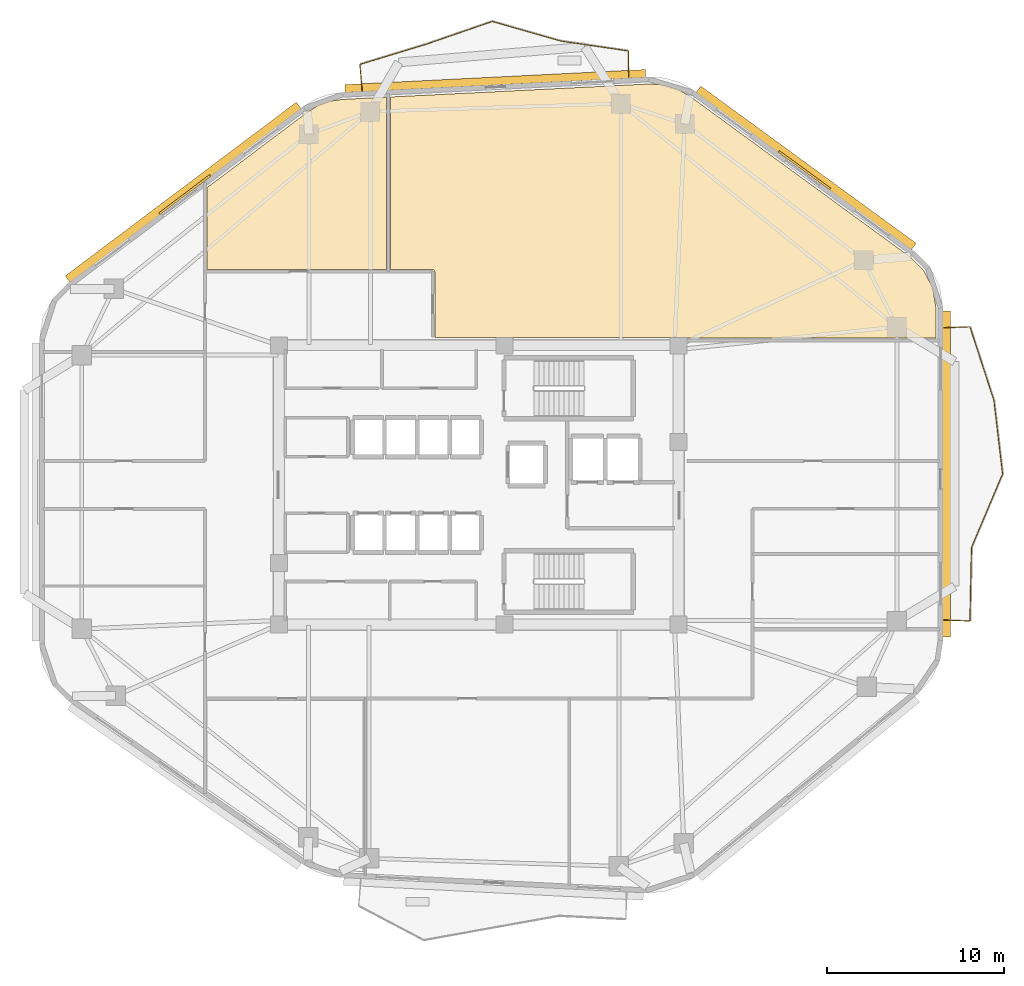
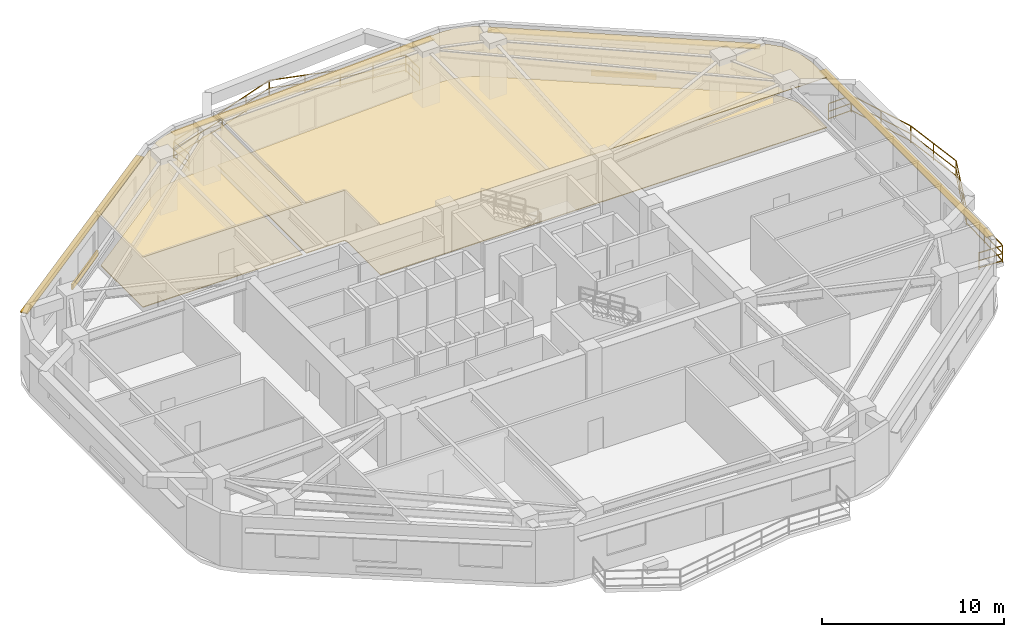
# One storey, part 8 of 8: 12 railings, 6 shading devices, 4 coverings.
"""IFC4 building model written with IfcOpenShell, lengths in metres."""

from ifc_helpers import new_model, si_unit, direction, frame, origin, origin_2d, place, context, subcontext, project, spatial, polyline, rectangle, outline, extrude, material, layer, layer_set, type_object, element, save


model = new_model("IFC4")

# Units and contexts
model_context = context("Model", 3, precision=1e-05, world=origin(), true_north=direction((0.0, 1.0)))
body_context = subcontext(model_context, "Body", "Model", "MODEL_VIEW")
ifc_project = project(units=[si_unit("LENGTHUNIT", "METRE"), si_unit("AREAUNIT", "SQUARE_METRE"), si_unit("VOLUMEUNIT", "CUBIC_METRE"), si_unit("PLANEANGLEUNIT", "RADIAN"), si_unit("MASSUNIT", "GRAM", prefix="KILO")], contexts=[model_context])

# Site, building, storey
site_placement = place(None, origin())
site = spatial("IfcSite", under=ifc_project, at=site_placement, CompositionType="ELEMENT")
building_placement = place(site_placement, origin())
building = spatial("IfcBuilding", under=site, at=building_placement, Name="Zulverin Broadcast Headquarters", CompositionType="ELEMENT")
storey_placement = place(building_placement, frame((0.0, 0.0, 136.39990234375)))
storey = spatial("IfcBuildingStorey", under=building, at=storey_placement, Name="L34", CompositionType="ELEMENT", Elevation=136.39990234375)

# Coverings
ifc_material_1 = material(Name="Perforated pale-metal acoustic baffle ceiling", Category="aluminium")
ifc_layer_1 = layer(ifc_material_1, 0.0400390625, Name="Perforated pale-metal acoustic baffle ceiling", Category="aluminium")
ifc_layer_set_1 = layer_set([ifc_layer_1], Name="Perforated pale-metal acoustic baffle ceiling")
covering_type_1 = type_object("IfcCoveringType", Name="COV-CEIL-ACOU", PredefinedType="CEILING", material=ifc_layer_set_1)
covering_1_placement = place(storey_placement, frame((0.0, 0.0, 3.360107421875)))
element("IfcCovering", 1, at=covering_1_placement, inside=storey, type_object=covering_type_1, Name="L34 Acoustic Baffle Ceiling 01", PredefinedType="CEILING", context=body_context, shape_type="SweptSolid", body=[
    extrude(outline(polyline([(31.780029296875, 37.3720703125), (31.780029296875, 47.083984375), (29.303955078125, 46.9599609375), (28.60009765625, 46.85595703125), (27.951904296875, 46.6201171875), (27.343994140625, 46.248046875), (21.66796875, 41.98388671875), (21.66796875, 37.3720703125), (31.780029296875, 37.3720703125)])), origin(), (0.0, 0.0, 1.0), 0.0400390625),
])
covering_2_placement = place(storey_placement, frame((0.0, 0.0, 3.360107421875)))
element("IfcCovering", 2, at=covering_2_placement, inside=storey, type_object=covering_type_1, Name="L34 Acoustic Baffle Ceiling 02", PredefinedType="CEILING", context=body_context, shape_type="SweptSolid", body=[
    extrude(outline(polyline([(47.43603515625, 47.77587890625), (46.6240234375, 47.83203125), (43.407958984375, 47.66796875), (32.02001953125, 47.095947265625), (32.02001953125, 37.3720703125), (34.360107421875, 37.3720703125), (34.3720703125, 37.3720703125), (34.384033203125, 37.367919921875), (34.39208984375, 37.367919921875), (34.39990234375, 37.364013671875), (34.407958984375, 37.364013671875), (34.419921875, 37.360107421875), (34.427978515625, 37.35595703125), (34.43603515625, 37.35205078125), (34.447998046875, 37.343994140625), (34.4599609375, 37.3359375), (34.468017578125, 37.327880859375), (34.47607421875, 37.320068359375), (34.48388671875, 37.31201171875), (34.491943359375, 37.300048828125), (34.5, 37.2880859375), (34.50390625, 37.280029296875), (34.508056640625, 37.27197265625), (34.511962890625, 37.263916015625), (34.51611328125, 37.251953125), (34.51611328125, 37.243896484375), (34.52001953125, 37.23193359375), (34.52001953125, 37.219970703125), (34.52001953125, 33.52001953125), (48.568115234375, 33.52001953125), (48.580078125, 33.52001953125), (48.592041015625, 33.51611328125), (48.60009765625, 33.51611328125), (48.612060546875, 33.511962890625), (48.6201171875, 33.508056640625), (48.635986328125, 33.5), (62.800048828125, 33.5), (62.800048828125, 35.199951171875), (62.6240234375, 36.30810546875), (62.1279296875, 37.280029296875), (61.3359375, 38.075927734375), (48.904052734375, 47.14794921875), (48.196044921875, 47.552001953125), (47.43603515625, 47.77587890625)])), origin(), (0.0, 0.0, 1.0), 0.0400390625),
])
ifc_material_2 = material(Name="Anti-static broadcast raised access flooring", Category="stone")
ifc_layer_2 = layer(ifc_material_2, 0.050048828125, Name="Anti-static broadcast raised access flooring", Category="stone")
ifc_layer_set_2 = layer_set([ifc_layer_2], Name="Anti-static broadcast raised access flooring")
covering_type_2 = type_object("IfcCoveringType", Name="COV-FLR-RAISED", PredefinedType="FLOORING", material=ifc_layer_set_2)
covering_3_placement = place(storey_placement, origin())
element("IfcCovering", 3, at=covering_3_placement, inside=storey, type_object=covering_type_2, Name="L34 Broadcast Raised Access Flooring 01", PredefinedType="FLOORING", context=body_context, shape_type="SweptSolid", body=[
    extrude(outline(polyline([(31.780029296875, 37.3720703125), (31.780029296875, 47.083984375), (29.303955078125, 46.9599609375), (28.60009765625, 46.85595703125), (27.951904296875, 46.6201171875), (27.343994140625, 46.248046875), (21.66796875, 41.98388671875), (21.66796875, 37.3720703125), (31.780029296875, 37.3720703125)])), origin(), (0.0, 0.0, 1.0), 0.050048828125),
])
covering_4_placement = place(storey_placement, origin())
element("IfcCovering", 4, at=covering_4_placement, inside=storey, type_object=covering_type_2, Name="L34 Broadcast Raised Access Flooring 02", PredefinedType="FLOORING", context=body_context, shape_type="SweptSolid", body=[
    extrude(outline(polyline([(47.43603515625, 47.77587890625), (46.6240234375, 47.83203125), (43.407958984375, 47.66796875), (32.02001953125, 47.095947265625), (32.02001953125, 37.3720703125), (34.360107421875, 37.3720703125), (34.3720703125, 37.3720703125), (34.384033203125, 37.367919921875), (34.39208984375, 37.367919921875), (34.39990234375, 37.364013671875), (34.407958984375, 37.364013671875), (34.419921875, 37.360107421875), (34.427978515625, 37.35595703125), (34.43603515625, 37.35205078125), (34.447998046875, 37.343994140625), (34.4599609375, 37.3359375), (34.468017578125, 37.327880859375), (34.47607421875, 37.320068359375), (34.48388671875, 37.31201171875), (34.491943359375, 37.300048828125), (34.5, 37.2880859375), (34.50390625, 37.280029296875), (34.508056640625, 37.27197265625), (34.511962890625, 37.263916015625), (34.51611328125, 37.251953125), (34.51611328125, 37.243896484375), (34.52001953125, 37.23193359375), (34.52001953125, 37.219970703125), (34.52001953125, 33.52001953125), (48.568115234375, 33.52001953125), (48.580078125, 33.52001953125), (48.592041015625, 33.51611328125), (48.60009765625, 33.51611328125), (48.612060546875, 33.511962890625), (48.6201171875, 33.508056640625), (48.635986328125, 33.5), (62.800048828125, 33.5), (62.800048828125, 35.199951171875), (62.6240234375, 36.30810546875), (62.1279296875, 37.280029296875), (61.3359375, 38.075927734375), (48.904052734375, 47.14794921875), (48.196044921875, 47.552001953125), (47.43603515625, 47.77587890625)])), origin(), (0.0, 0.0, 1.0), 0.050048828125),
])

# Railings
ifc_material_3 = material(Name="Brushed stainless steel & laminated glass balustrade", Category="steel")
railing_type = type_object("IfcRailingType", Name="RL-GUARD-1150", PredefinedType="GUARDRAIL", material=ifc_material_3)
railing_1_placement = place(storey_placement, frame((63.239990234375, 17.578369140625, 0.0)))
element("IfcRailing", 5, at=railing_1_placement, inside=storey, type_object=railing_type, Name="L34 Vertical-Forest Balcony Guardrail BAL_E Segment 01", PredefinedType="GUARDRAIL", context=body_context, shape_type="SweptSolid", body=[
    extrude(rectangle(XDim=0.048095703125, YDim=0.048095703125, at=origin_2d()), frame((0.0, 0.0, 1.1259765625), z_axis=(0.999174410196, -0.040626321628, 0.0), x_axis=(0.040626321628, 0.999174410196, 0.0)), (0.0, 0.0, 1.0), 1.46630859375),
    extrude(rectangle(XDim=0.0419921875, YDim=0.0419921875, at=origin_2d()), frame((0.0, 0.0, 0.597900390625), z_axis=(0.999174410196, -0.040626321628, 0.0), x_axis=(0.040626321628, 0.999174410196, 0.0)), (0.0, 0.0, 1.0), 1.46630859375),
    extrude(rectangle(XDim=0.0419921875, YDim=0.0419921875, at=origin_2d()), frame((0.0, 0.0, 0.1201171875), z_axis=(0.999174410196, -0.040626321628, 0.0), x_axis=(0.040626321628, 0.999174410196, 0.0)), (0.0, 0.0, 1.0), 1.46630859375),
    extrude(rectangle(XDim=0.0419921875, YDim=0.0419921875, at=origin_2d()), origin(), (0.0, 0.0, 1.0), 1.101806640625),
    extrude(rectangle(XDim=0.0419921875, YDim=0.0419921875, at=origin_2d()), frame((1.465087890625, -0.0595703125, 0.0)), (0.0, 0.0, 1.0), 1.101806640625),
])
railing_2_placement = place(storey_placement, frame((64.72021484375, 17.533203125, 0.0)))
element("IfcRailing", 6, at=railing_2_placement, inside=storey, type_object=railing_type, Name="L34 Vertical-Forest Balcony Guardrail BAL_E Segment 02", PredefinedType="GUARDRAIL", context=body_context, shape_type="SweptSolid", body=[
    extrude(rectangle(XDim=0.048095703125, YDim=0.048095703125, at=origin_2d()), frame((0.0, 0.0, 1.1259765625), z_axis=(0.021430415911, 0.999770342266, 0.0), x_axis=(-0.999770342266, 0.021430415911, 0.0)), (0.0, 0.0, 1.0), 4.1240234375),
    extrude(rectangle(XDim=0.0419921875, YDim=0.0419921875, at=origin_2d()), frame((0.0, 0.0, 0.597900390625), z_axis=(0.021430415911, 0.999770342266, 0.0), x_axis=(-0.999770342266, 0.021430415911, 0.0)), (0.0, 0.0, 1.0), 4.1240234375),
    extrude(rectangle(XDim=0.0419921875, YDim=0.0419921875, at=origin_2d()), frame((0.0, 0.0, 0.1201171875), z_axis=(0.021430415911, 0.999770342266, 0.0), x_axis=(-0.999770342266, 0.021430415911, 0.0)), (0.0, 0.0, 1.0), 4.1240234375),
    extrude(rectangle(XDim=0.0419921875, YDim=0.0419921875, at=origin_2d()), origin(), (0.0, 0.0, 1.0), 1.101806640625),
    extrude(rectangle(XDim=0.0419921875, YDim=0.0419921875, at=origin_2d()), frame((0.044189453125, 2.0615234375, 0.0)), (0.0, 0.0, 1.0), 1.101806640625),
    extrude(rectangle(XDim=0.0419921875, YDim=0.0419921875, at=origin_2d()), frame((0.08837890625, 4.123046875, 0.0)), (0.0, 0.0, 1.0), 1.101806640625),
])
railing_3_placement = place(storey_placement, frame((64.814697265625, 21.68505859375, 0.0)))
element("IfcRailing", 7, at=railing_3_placement, inside=storey, type_object=railing_type, Name="L34 Vertical-Forest Balcony Guardrail BAL_E Segment 03", PredefinedType="GUARDRAIL", context=body_context, shape_type="SweptSolid", body=[
    extrude(rectangle(XDim=0.048095703125, YDim=0.048095703125, at=origin_2d()), frame((0.0, 0.0, 1.1259765625), z_axis=(0.389328761333, 0.921098863097, 0.0), x_axis=(-0.921098863097, 0.389328761333, 0.0)), (0.0, 0.0, 1.0), 4.478515625),
    extrude(rectangle(XDim=0.0419921875, YDim=0.0419921875, at=origin_2d()), frame((0.0, 0.0, 0.597900390625), z_axis=(0.389328761333, 0.921098863097, 0.0), x_axis=(-0.921098863097, 0.389328761333, 0.0)), (0.0, 0.0, 1.0), 4.478515625),
    extrude(rectangle(XDim=0.0419921875, YDim=0.0419921875, at=origin_2d()), frame((0.0, 0.0, 0.1201171875), z_axis=(0.389328761333, 0.921098863097, 0.0), x_axis=(-0.921098863097, 0.389328761333, 0.0)), (0.0, 0.0, 1.0), 4.478515625),
    extrude(rectangle(XDim=0.0419921875, YDim=0.0419921875, at=origin_2d()), origin(), (0.0, 0.0, 1.0), 1.101806640625),
    extrude(rectangle(XDim=0.0419921875, YDim=0.0419921875, at=origin_2d()), frame((0.581298828125, 1.375, 0.0)), (0.0, 0.0, 1.0), 1.101806640625),
    extrude(rectangle(XDim=0.0419921875, YDim=0.0419921875, at=origin_2d()), frame((1.162353515625, 2.750244140625, 0.0)), (0.0, 0.0, 1.0), 1.101806640625),
    extrude(rectangle(XDim=0.0419921875, YDim=0.0419921875, at=origin_2d()), frame((1.74365234375, 4.125244140625, 0.0)), (0.0, 0.0, 1.0), 1.101806640625),
])
railing_4_placement = place(storey_placement, frame((66.562255859375, 25.839111328125, 0.0)))
element("IfcRailing", 8, at=railing_4_placement, inside=storey, type_object=railing_type, Name="L34 Vertical-Forest Balcony Guardrail BAL_E Segment 04", PredefinedType="GUARDRAIL", context=body_context, shape_type="SweptSolid", body=[
    extrude(rectangle(XDim=0.048095703125, YDim=0.048095703125, at=origin_2d()), frame((0.0, 0.0, 1.1259765625), z_axis=(-0.117141493874, 0.993115235213, 0.0), x_axis=(-0.993115235213, -0.117141493874, 0.0)), (0.0, 0.0, 1.0), 4.151611328125),
    extrude(rectangle(XDim=0.0419921875, YDim=0.0419921875, at=origin_2d()), frame((0.0, 0.0, 0.597900390625), z_axis=(-0.117141493874, 0.993115235213, 0.0), x_axis=(-0.993115235213, -0.117141493874, 0.0)), (0.0, 0.0, 1.0), 4.151611328125),
    extrude(rectangle(XDim=0.0419921875, YDim=0.0419921875, at=origin_2d()), frame((0.0, 0.0, 0.1201171875), z_axis=(-0.117141493874, 0.993115235213, 0.0), x_axis=(-0.993115235213, -0.117141493874, 0.0)), (0.0, 0.0, 1.0), 4.151611328125),
    extrude(rectangle(XDim=0.0419921875, YDim=0.0419921875, at=origin_2d()), origin(), (0.0, 0.0, 1.0), 1.101806640625),
    extrude(rectangle(XDim=0.0419921875, YDim=0.0419921875, at=origin_2d()), frame((-0.2431640625, 2.0615234375, 0.0)), (0.0, 0.0, 1.0), 1.101806640625),
    extrude(rectangle(XDim=0.0419921875, YDim=0.0419921875, at=origin_2d()), frame((-0.486328125, 4.123046875, 0.0)), (0.0, 0.0, 1.0), 1.101806640625),
])
railing_5_placement = place(storey_placement, frame((66.069580078125, 29.9912109375, 0.0)))
element("IfcRailing", 9, at=railing_5_placement, inside=storey, type_object=railing_type, Name="L34 Vertical-Forest Balcony Guardrail BAL_E Segment 05", PredefinedType="GUARDRAIL", context=body_context, shape_type="SweptSolid", body=[
    extrude(rectangle(XDim=0.048095703125, YDim=0.048095703125, at=origin_2d()), frame((0.0, 0.0, 1.1259765625), z_axis=(-0.310041611264, 0.95072298767, 0.0), x_axis=(-0.95072298767, -0.310041611264, 0.0)), (0.0, 0.0, 1.0), 4.338134765625),
    extrude(rectangle(XDim=0.0419921875, YDim=0.0419921875, at=origin_2d()), frame((0.0, 0.0, 0.597900390625), z_axis=(-0.310041611264, 0.95072298767, 0.0), x_axis=(-0.95072298767, -0.310041611264, 0.0)), (0.0, 0.0, 1.0), 4.338134765625),
    extrude(rectangle(XDim=0.0419921875, YDim=0.0419921875, at=origin_2d()), frame((0.0, 0.0, 0.1201171875), z_axis=(-0.310041611264, 0.95072298767, 0.0), x_axis=(-0.95072298767, -0.310041611264, 0.0)), (0.0, 0.0, 1.0), 4.338134765625),
    extrude(rectangle(XDim=0.0419921875, YDim=0.0419921875, at=origin_2d()), origin(), (0.0, 0.0, 1.0), 1.101806640625),
    extrude(rectangle(XDim=0.0419921875, YDim=0.0419921875, at=origin_2d()), frame((-0.67236328125, 2.06201171875, 0.0)), (0.0, 0.0, 1.0), 1.101806640625),
    extrude(rectangle(XDim=0.0419921875, YDim=0.0419921875, at=origin_2d()), frame((-1.344970703125, 4.124267578125, 0.0)), (0.0, 0.0, 1.0), 1.101806640625),
])
railing_6_placement = place(storey_placement, frame((64.705078125, 34.12939453125, 0.0)))
element("IfcRailing", 10, at=railing_6_placement, inside=storey, type_object=railing_type, Name="L34 Vertical-Forest Balcony Guardrail BAL_E Segment 06", PredefinedType="GUARDRAIL", context=body_context, shape_type="SweptSolid", body=[
    extrude(rectangle(XDim=0.048095703125, YDim=0.048095703125, at=origin_2d()), frame((0.0, 0.0, 1.1259765625), z_axis=(-0.999174410196, -0.040626321628, 0.0), x_axis=(0.040626321628, -0.999174410196, 0.0)), (0.0, 0.0, 1.0), 1.46630859375),
    extrude(rectangle(XDim=0.0419921875, YDim=0.0419921875, at=origin_2d()), frame((0.0, 0.0, 0.597900390625), z_axis=(-0.999174410196, -0.040626321628, 0.0), x_axis=(0.040626321628, -0.999174410196, 0.0)), (0.0, 0.0, 1.0), 1.46630859375),
    extrude(rectangle(XDim=0.0419921875, YDim=0.0419921875, at=origin_2d()), frame((0.0, 0.0, 0.1201171875), z_axis=(-0.999174410196, -0.040626321628, 0.0), x_axis=(0.040626321628, -0.999174410196, 0.0)), (0.0, 0.0, 1.0), 1.46630859375),
    extrude(rectangle(XDim=0.0419921875, YDim=0.0419921875, at=origin_2d()), origin(), (0.0, 0.0, 1.0), 1.101806640625),
    extrude(rectangle(XDim=0.0419921875, YDim=0.0419921875, at=origin_2d()), frame((-1.465087890625, -0.0595703125, 0.0)), (0.0, 0.0, 1.0), 1.101806640625),
])
railing_7_placement = place(storey_placement, frame((45.464599609375, 48.212646484375, 0.0)))
element("IfcRailing", 11, at=railing_7_placement, inside=storey, type_object=railing_type, Name="L34 Vertical-Forest Balcony Guardrail BAL_N Segment 01", PredefinedType="GUARDRAIL", context=body_context, shape_type="SweptSolid", body=[
    extrude(rectangle(XDim=0.048095703125, YDim=0.048095703125, at=origin_2d()), frame((0.0, 0.0, 1.1259765625), z_axis=(-0.009658167329, 0.999953358814, 0.0), x_axis=(-0.999953358814, -0.009658167329, 0.0)), (0.0, 0.0, 1.0), 1.466064453125),
    extrude(rectangle(XDim=0.0419921875, YDim=0.0419921875, at=origin_2d()), frame((0.0, 0.0, 0.597900390625), z_axis=(-0.009658167329, 0.999953358814, 0.0), x_axis=(-0.999953358814, -0.009658167329, 0.0)), (0.0, 0.0, 1.0), 1.466064453125),
    extrude(rectangle(XDim=0.0419921875, YDim=0.0419921875, at=origin_2d()), frame((0.0, 0.0, 0.1201171875), z_axis=(-0.009658167329, 0.999953358814, 0.0), x_axis=(-0.999953358814, -0.009658167329, 0.0)), (0.0, 0.0, 1.0), 1.466064453125),
    extrude(rectangle(XDim=0.0419921875, YDim=0.0419921875, at=origin_2d()), origin(), (0.0, 0.0, 1.0), 1.101806640625),
    extrude(rectangle(XDim=0.0419921875, YDim=0.0419921875, at=origin_2d()), frame((-0.01416015625, 1.466064453125, 0.0)), (0.0, 0.0, 1.0), 1.101806640625),
])
railing_8_placement = place(storey_placement, frame((45.435546875, 49.696044921875, 0.0)))
element("IfcRailing", 12, at=railing_8_placement, inside=storey, type_object=railing_type, Name="L34 Vertical-Forest Balcony Guardrail BAL_N Segment 02", PredefinedType="GUARDRAIL", context=body_context, shape_type="SweptSolid", body=[
    extrude(rectangle(XDim=0.048095703125, YDim=0.048095703125, at=origin_2d()), frame((0.0, 0.0, 1.1259765625), z_axis=(-0.989370438632, 0.145417107529, 0.0), x_axis=(-0.145417107529, -0.989370438632, 0.0)), (0.0, 0.0, 1.0), 3.839599609375),
    extrude(rectangle(XDim=0.0419921875, YDim=0.0419921875, at=origin_2d()), frame((0.0, 0.0, 0.597900390625), z_axis=(-0.989370438632, 0.145417107529, 0.0), x_axis=(-0.145417107529, -0.989370438632, 0.0)), (0.0, 0.0, 1.0), 3.839599609375),
    extrude(rectangle(XDim=0.0419921875, YDim=0.0419921875, at=origin_2d()), frame((0.0, 0.0, 0.1201171875), z_axis=(-0.989370438632, 0.145417107529, 0.0), x_axis=(-0.145417107529, -0.989370438632, 0.0)), (0.0, 0.0, 1.0), 3.839599609375),
    extrude(rectangle(XDim=0.0419921875, YDim=0.0419921875, at=origin_2d()), origin(), (0.0, 0.0, 1.0), 1.101806640625),
    extrude(rectangle(XDim=0.0419921875, YDim=0.0419921875, at=origin_2d()), frame((-1.8994140625, 0.279296875, 0.0)), (0.0, 0.0, 1.0), 1.101806640625),
    extrude(rectangle(XDim=0.0419921875, YDim=0.0419921875, at=origin_2d()), frame((-3.798828125, 0.558349609375, 0.0)), (0.0, 0.0, 1.0), 1.101806640625),
])
railing_9_placement = place(storey_placement, frame((41.607421875, 50.260498046875, 0.0)))
element("IfcRailing", 13, at=railing_9_placement, inside=storey, type_object=railing_type, Name="L34 Vertical-Forest Balcony Guardrail BAL_N Segment 03", PredefinedType="GUARDRAIL", context=body_context, shape_type="SweptSolid", body=[
    extrude(rectangle(XDim=0.048095703125, YDim=0.048095703125, at=origin_2d()), frame((0.0, 0.0, 1.1259765625), z_axis=(-0.961333932971, 0.275385310644, 0.0), x_axis=(-0.275385310644, -0.961333932971, 0.0)), (0.0, 0.0, 1.0), 3.98046875),
    extrude(rectangle(XDim=0.0419921875, YDim=0.0419921875, at=origin_2d()), frame((0.0, 0.0, 0.597900390625), z_axis=(-0.961333932971, 0.275385310644, 0.0), x_axis=(-0.275385310644, -0.961333932971, 0.0)), (0.0, 0.0, 1.0), 3.98046875),
    extrude(rectangle(XDim=0.0419921875, YDim=0.0419921875, at=origin_2d()), frame((0.0, 0.0, 0.1201171875), z_axis=(-0.961333932971, 0.275385310644, 0.0), x_axis=(-0.275385310644, -0.961333932971, 0.0)), (0.0, 0.0, 1.0), 3.98046875),
    extrude(rectangle(XDim=0.0419921875, YDim=0.0419921875, at=origin_2d()), origin(), (0.0, 0.0, 1.0), 1.101806640625),
    extrude(rectangle(XDim=0.0419921875, YDim=0.0419921875, at=origin_2d()), frame((-1.913330078125, 0.548095703125, 0.0)), (0.0, 0.0, 1.0), 1.101806640625),
    extrude(rectangle(XDim=0.0419921875, YDim=0.0419921875, at=origin_2d()), frame((-3.82666015625, 1.09619140625, 0.0)), (0.0, 0.0, 1.0), 1.101806640625),
])
railing_10_placement = place(storey_placement, frame((37.752197265625, 51.35595703125, 0.0)))
element("IfcRailing", 14, at=railing_10_placement, inside=storey, type_object=railing_type, Name="L34 Vertical-Forest Balcony Guardrail BAL_N Segment 04", PredefinedType="GUARDRAIL", context=body_context, shape_type="SweptSolid", body=[
    extrude(rectangle(XDim=0.048095703125, YDim=0.048095703125, at=origin_2d()), frame((0.0, 0.0, 1.1259765625), z_axis=(-0.945338574155, -0.326090447904, 0.0), x_axis=(0.326090447904, -0.945338574155, 0.0)), (0.0, 0.0, 1.0), 3.921630859375),
    extrude(rectangle(XDim=0.0419921875, YDim=0.0419921875, at=origin_2d()), frame((0.0, 0.0, 0.597900390625), z_axis=(-0.945338574155, -0.326090447904, 0.0), x_axis=(0.326090447904, -0.945338574155, 0.0)), (0.0, 0.0, 1.0), 3.921630859375),
    extrude(rectangle(XDim=0.0419921875, YDim=0.0419921875, at=origin_2d()), frame((0.0, 0.0, 0.1201171875), z_axis=(-0.945338574155, -0.326090447904, 0.0), x_axis=(0.326090447904, -0.945338574155, 0.0)), (0.0, 0.0, 1.0), 3.921630859375),
    extrude(rectangle(XDim=0.0419921875, YDim=0.0419921875, at=origin_2d()), origin(), (0.0, 0.0, 1.0), 1.101806640625),
    extrude(rectangle(XDim=0.0419921875, YDim=0.0419921875, at=origin_2d()), frame((-1.853515625, -0.639404296875, 0.0)), (0.0, 0.0, 1.0), 1.101806640625),
    extrude(rectangle(XDim=0.0419921875, YDim=0.0419921875, at=origin_2d()), frame((-3.707275390625, -1.27880859375, 0.0)), (0.0, 0.0, 1.0), 1.101806640625),
])
railing_11_placement = place(storey_placement, frame((34.016357421875, 50.06787109375, 0.0)))
element("IfcRailing", 15, at=railing_11_placement, inside=storey, type_object=railing_type, Name="L34 Vertical-Forest Balcony Guardrail BAL_N Segment 05", PredefinedType="GUARDRAIL", context=body_context, shape_type="SweptSolid", body=[
    extrude(rectangle(XDim=0.048095703125, YDim=0.048095703125, at=origin_2d()), frame((0.0, 0.0, 1.1259765625), z_axis=(-0.956674642013, -0.291159113424, 0.0), x_axis=(0.291159113424, -0.956674642013, 0.0)), (0.0, 0.0, 1.0), 3.88232421875),
    extrude(rectangle(XDim=0.0419921875, YDim=0.0419921875, at=origin_2d()), frame((0.0, 0.0, 0.597900390625), z_axis=(-0.956674642013, -0.291159113424, 0.0), x_axis=(0.291159113424, -0.956674642013, 0.0)), (0.0, 0.0, 1.0), 3.88232421875),
    extrude(rectangle(XDim=0.0419921875, YDim=0.0419921875, at=origin_2d()), frame((0.0, 0.0, 0.1201171875), z_axis=(-0.956674642013, -0.291159113424, 0.0), x_axis=(0.291159113424, -0.956674642013, 0.0)), (0.0, 0.0, 1.0), 3.88232421875),
    extrude(rectangle(XDim=0.0419921875, YDim=0.0419921875, at=origin_2d()), origin(), (0.0, 0.0, 1.0), 1.101806640625),
    extrude(rectangle(XDim=0.0419921875, YDim=0.0419921875, at=origin_2d()), frame((-1.85693359375, -0.565185546875, 0.0)), (0.0, 0.0, 1.0), 1.101806640625),
    extrude(rectangle(XDim=0.0419921875, YDim=0.0419921875, at=origin_2d()), frame((-3.714111328125, -1.13037109375, 0.0)), (0.0, 0.0, 1.0), 1.101806640625),
])
railing_12_placement = place(storey_placement, frame((30.289306640625, 48.918212890625, 0.0)))
element("IfcRailing", 16, at=railing_12_placement, inside=storey, type_object=railing_type, Name="L34 Vertical-Forest Balcony Guardrail BAL_N Segment 06", PredefinedType="GUARDRAIL", context=body_context, shape_type="SweptSolid", body=[
    extrude(rectangle(XDim=0.048095703125, YDim=0.048095703125, at=origin_2d()), frame((0.0, 0.0, 1.1259765625), z_axis=(0.090415638869, -0.995904117999, 0.0), x_axis=(0.995904117999, 0.090415638869, 0.0)), (0.0, 0.0, 1.0), 1.46630859375),
    extrude(rectangle(XDim=0.0419921875, YDim=0.0419921875, at=origin_2d()), frame((0.0, 0.0, 0.597900390625), z_axis=(0.090415638869, -0.995904117999, 0.0), x_axis=(0.995904117999, 0.090415638869, 0.0)), (0.0, 0.0, 1.0), 1.46630859375),
    extrude(rectangle(XDim=0.0419921875, YDim=0.0419921875, at=origin_2d()), frame((0.0, 0.0, 0.1201171875), z_axis=(0.090415638869, -0.995904117999, 0.0), x_axis=(0.995904117999, 0.090415638869, 0.0)), (0.0, 0.0, 1.0), 1.46630859375),
    extrude(rectangle(XDim=0.0419921875, YDim=0.0419921875, at=origin_2d()), origin(), (0.0, 0.0, 1.0), 1.101806640625),
    extrude(rectangle(XDim=0.0419921875, YDim=0.0419921875, at=origin_2d()), frame((0.132568359375, -1.460205078125, 0.0)), (0.0, 0.0, 1.0), 1.101806640625),
])

# Shading devices
ifc_material_4 = material(Name="Anodized pale-metal aluminium acoustic louvre", Category="aluminium")
shading_device_type_1 = type_object("IfcShadingDeviceType", Name="SHD-LOUVRE-350", PredefinedType="USERDEFINED", material=ifc_material_4)
for number, where, z_axis, x_axis, name in (
    (17, (55.382568359375, 42.965576171875, 0.2451171875), (0.0, 0.0, 1.0), (-0.807814001495, 0.589437476742, 0.0), "L34 Spandrel Intake Louvre 4"),
    (18, (20.41259765625, 41.591064453125, 0.2451171875), (0.0, 0.0, 1.0), (-0.799275780179, -0.60096441427, 0.0), "L34 Spandrel Intake Louvre 6"),
):
    element("IfcShadingDevice", number, at=place(storey_placement, frame(where, z_axis=z_axis, x_axis=x_axis)), inside=storey, type_object=shading_device_type_1, Name=name, ObjectType="LOUVRE", PredefinedType="USERDEFINED", context=body_context, shape_type="SweptSolid", body=[
        extrude(rectangle(XDim=3.60009765625, YDim=0.1201171875, at=origin_2d()), origin(), (0.0, 0.0, 1.0), 0.35009765625),
    ])
ifc_material_5 = material(Name="Anodized pale-metal aluminium sunshade", Category="aluminium")
ifc_layer_3 = layer(ifc_material_5, 0.06005859375, Name="Anodized pale-metal aluminium sunshade", Category="aluminium")
ifc_layer_set_3 = layer_set([ifc_layer_3], Name="Anodized pale-metal aluminium sunshade")
shading_device_type_2 = type_object("IfcShadingDeviceType", Name="SS-01_PALE_METAL_ALUMINIUM_SUNSHADE", PredefinedType="USERDEFINED", material=ifc_layer_set_3)
shading_device_1_placement = place(storey_placement, frame((63.39990234375, 25.82421875, 2.7099609375), z_axis=(0.0, 0.0, 1.0), x_axis=(0.0, 1.0, 0.0)))
element("IfcShadingDevice", 19, at=shading_device_1_placement, inside=storey, type_object=shading_device_type_2, Name="L34 Horizontal Pale-Metal Sunshade Band 3", ObjectType="SUNSHADE", PredefinedType="USERDEFINED", context=body_context, shape_type="SweptSolid", body=[
    extrude(rectangle(XDim=18.41162109375, YDim=0.449951171875, at=origin_2d()), origin(), (0.0, 0.0, 1.0), 0.06005859375),
])
shading_device_2_placement = place(storey_placement, frame((55.476806640625, 43.0947265625, 2.7099609375), z_axis=(0.0, 0.0, 1.0), x_axis=(-0.807814001495, 0.589437476742, 0.0)))
element("IfcShadingDevice", 20, at=shading_device_2_placement, inside=storey, type_object=shading_device_type_2, Name="L34 Horizontal Pale-Metal Sunshade Band 4", ObjectType="SUNSHADE", PredefinedType="USERDEFINED", context=body_context, shape_type="SweptSolid", body=[
    extrude(rectangle(XDim=15.048583984375, YDim=0.449951171875, at=origin_2d()), origin(), (0.0, 0.0, 1.0), 0.06005859375),
])
shading_device_3_placement = place(storey_placement, frame((37.935302734375, 47.9951171875, 2.7099609375), z_axis=(0.0, 0.0, 1.0), x_axis=(-0.998743962301, -0.050104867704, 0.0)))
element("IfcShadingDevice", 21, at=shading_device_3_placement, inside=storey, type_object=shading_device_type_2, Name="L34 Horizontal Pale-Metal Sunshade Band 5", ObjectType="SUNSHADE", PredefinedType="USERDEFINED", context=body_context, shape_type="SweptSolid", body=[
    extrude(rectangle(XDim=16.981689453125, YDim=0.449951171875, at=origin_2d()), origin(), (0.0, 0.0, 1.0), 0.06005859375),
])
shading_device_4_placement = place(storey_placement, frame((20.31640625, 41.718994140625, 2.7099609375), z_axis=(0.0, 0.0, 1.0), x_axis=(-0.799275780179, -0.60096441427, 0.0)))
element("IfcShadingDevice", 22, at=shading_device_4_placement, inside=storey, type_object=shading_device_type_2, Name="L34 Horizontal Pale-Metal Sunshade Band 6", ObjectType="SUNSHADE", PredefinedType="USERDEFINED", context=body_context, shape_type="SweptSolid", body=[
    extrude(rectangle(XDim=16.316162109375, YDim=0.449951171875, at=origin_2d()), origin(), (0.0, 0.0, 1.0), 0.06005859375),
])

save(model, "model.ifc")
